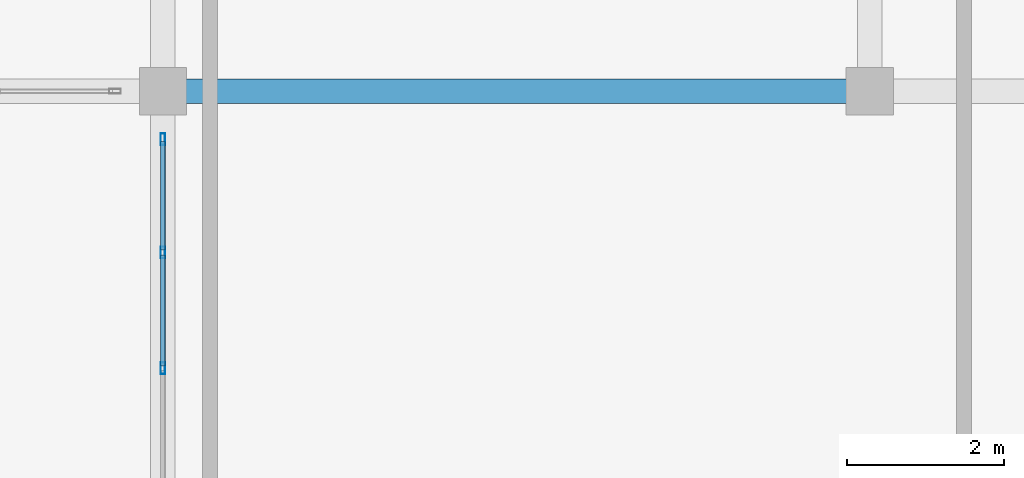
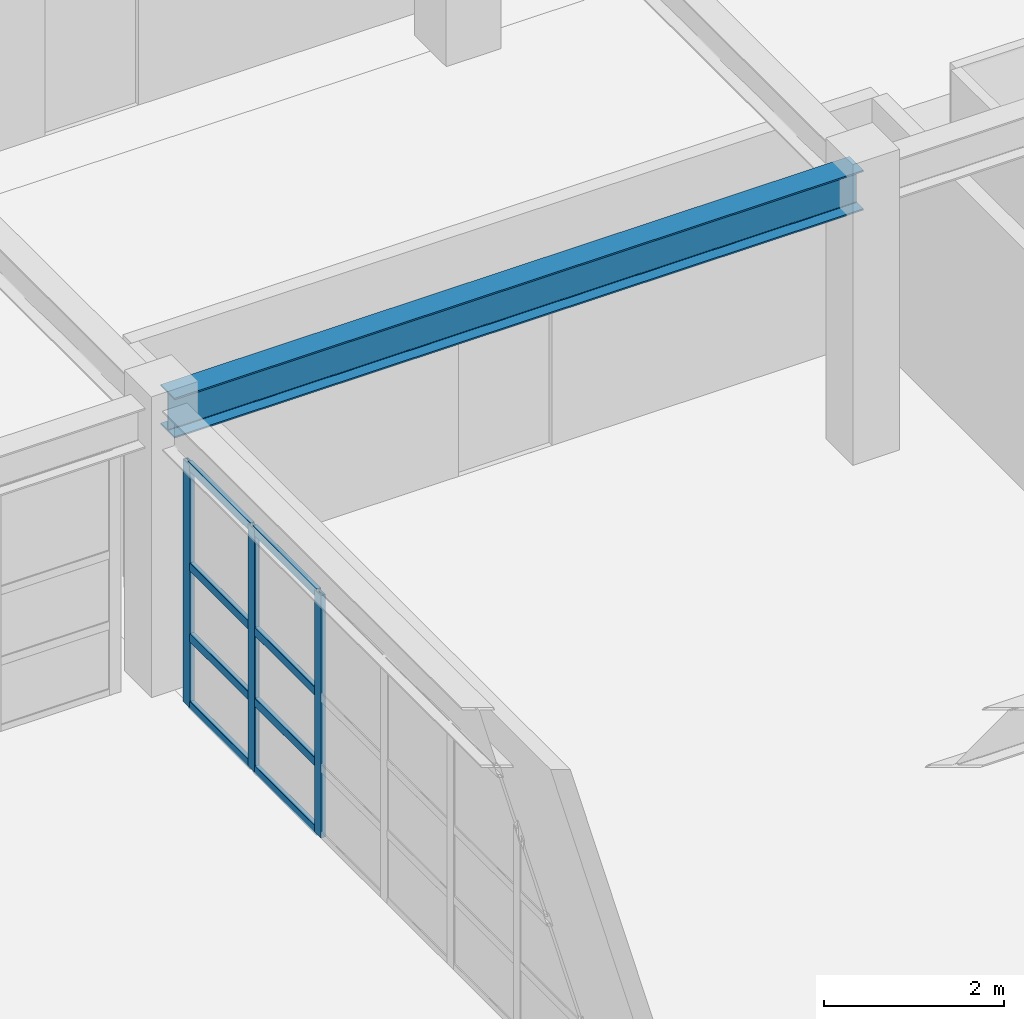
# One storey, part 23 of 110: 11 members, 1 beam, 1 element without a shape of its own.
"""IFC4 building model written with IfcOpenShell, lengths in metres."""

from ifc_helpers import new_model, si_unit, direction, frame, origin, origin_2d, place, context, subcontext, project, spatial, hollow_rectangle, i_section, extrude, material, material_profile, profile_set, type_object, element, aggregate, save


model = new_model("IFC4")

# Units and contexts
model_context = context("Model", 3, precision=1e-05, world=origin(), true_north=direction((0.0, 1.0)))
body_context = subcontext(model_context, "Body", "Model", "MODEL_VIEW")
ifc_project = project(units=[si_unit("LENGTHUNIT", "METRE"), si_unit("AREAUNIT", "SQUARE_METRE"), si_unit("VOLUMEUNIT", "CUBIC_METRE"), si_unit("PLANEANGLEUNIT", "RADIAN"), si_unit("MASSUNIT", "GRAM", prefix="KILO")], contexts=[model_context])

# Site, building, storey
site_placement = place(None, origin())
site = spatial("IfcSite", under=ifc_project, at=site_placement, CompositionType="ELEMENT")
building_placement = place(site_placement, origin())
building = spatial("IfcBuilding", under=site, at=building_placement, Name="Miravela Opera House", CompositionType="ELEMENT")
storey_placement = place(building_placement, frame((0.0, 0.0, 13.60009765625)))
storey = spatial("IfcBuildingStorey", under=building, at=storey_placement, Name="L03", CompositionType="ELEMENT", Elevation=13.60009765625)

# Curtain wall, members
ifc_material_1 = material(Name="Anodised architectural bronze aluminium 6063-T6", Category="aluminium")
curtain_wall_type = type_object("IfcCurtainWallType", Name="ARC-CW-06", PredefinedType="NOTDEFINED", material=ifc_material_1)
curtain_wall_placement = place(storey_placement, origin())
curtain_wall = element("IfcCurtainWall", 1, at=curtain_wall_placement, inside=storey, type_object=curtain_wall_type, Name="Courtyard Arcade Curtain Wall CW-L03-155", PredefinedType="NOTDEFINED")
ifc_material_profile_1 = material_profile(ifc_material_1, hollow_rectangle(XDim=0.06005859375, YDim=0.14990234375, WallThickness=0.00390625, InnerFilletRadius=0.001953125, OuterFilletRadius=0.00390625, at=origin_2d()), Name="CWM-60X150")
ifc_profile_set_1 = profile_set([ifc_material_profile_1])
member_type_1 = type_object("IfcMemberType", Name="ARC-CWM-150", PredefinedType="MULLION", material=ifc_profile_set_1)
member_1_placement = place(storey_placement, frame((63.0, 24.473388671875, 0.0), z_axis=(0.0, 0.0, 1.0), x_axis=(-1.0, 0.0, 0.0)))
member_1 = element("IfcMember", 2, at=member_1_placement, type_object=member_type_1, Name="CW-06 mullion 5", PredefinedType="MULLION", context=body_context, shape_type="SweptSolid", body=[
    extrude(hollow_rectangle(XDim=0.06005859375, YDim=0.14990234375, WallThickness=0.00390625, InnerFilletRadius=0.001953125, OuterFilletRadius=0.00390625, at=origin_2d()), origin(), (0.0, 0.0, 1.0), 3.289794921875),
])
member_2_placement = place(storey_placement, frame((63.0, 25.94677734375, 0.0), z_axis=(0.0, 0.0, 1.0), x_axis=(-1.0, 0.0, 0.0)))
member_2 = element("IfcMember", 3, at=member_2_placement, type_object=member_type_1, Name="CW-06 mullion 6", PredefinedType="MULLION", context=body_context, shape_type="SweptSolid", body=[
    extrude(hollow_rectangle(XDim=0.06005859375, YDim=0.14990234375, WallThickness=0.00390625, InnerFilletRadius=0.001953125, OuterFilletRadius=0.00390625, at=origin_2d()), origin(), (0.0, 0.0, 1.0), 3.289794921875),
])
member_3_placement = place(storey_placement, frame((63.0, 27.389892578125, 0.0), z_axis=(0.0, 0.0, 1.0), x_axis=(-1.0, 0.0, 0.0)))
member_3 = element("IfcMember", 4, at=member_3_placement, type_object=member_type_1, Name="CW-06 mullion 7", PredefinedType="MULLION", context=body_context, shape_type="SweptSolid", body=[
    extrude(hollow_rectangle(XDim=0.06005859375, YDim=0.14990234375, WallThickness=0.00390625, InnerFilletRadius=0.001953125, OuterFilletRadius=0.00390625, at=origin_2d()), origin(), (0.0, 0.0, 1.0), 3.289794921875),
])
ifc_material_profile_2 = material_profile(ifc_material_1, hollow_rectangle(XDim=0.06005859375, YDim=0.114990234375, WallThickness=0.00390625, InnerFilletRadius=0.001953125, OuterFilletRadius=0.00390625, at=origin_2d()), Name="CWT-60X115")
ifc_profile_set_2 = profile_set([ifc_material_profile_2])
member_type_2 = type_object("IfcMemberType", Name="ARC-CWT-115", PredefinedType="USERDEFINED", material=ifc_profile_set_2)
member_4_placement = place(storey_placement, frame((63.0, 24.50341796875, 0.02978515625), z_axis=(0.0, 1.0, 0.0), x_axis=(-1.0, 0.0, 0.0)))
member_4 = element("IfcMember", 5, at=member_4_placement, type_object=member_type_2, Name="CW-06 transom 5.1", ObjectType="TRANSOM", PredefinedType="USERDEFINED", context=body_context, shape_type="SweptSolid", body=[
    extrude(hollow_rectangle(XDim=0.06005859375, YDim=0.114990234375, WallThickness=0.00390625, InnerFilletRadius=0.001953125, OuterFilletRadius=0.00390625, at=origin_2d()), origin(), (0.0, 0.0, 1.0), 1.413330078125),
])
member_5_placement = place(storey_placement, frame((63.0, 24.50341796875, 0.949951171875), z_axis=(0.0, 1.0, 0.0), x_axis=(-1.0, 0.0, 0.0)))
member_5 = element("IfcMember", 6, at=member_5_placement, type_object=member_type_2, Name="CW-06 transom 5.2", ObjectType="TRANSOM", PredefinedType="USERDEFINED", context=body_context, shape_type="SweptSolid", body=[
    extrude(hollow_rectangle(XDim=0.06005859375, YDim=0.114990234375, WallThickness=0.00390625, InnerFilletRadius=0.001953125, OuterFilletRadius=0.00390625, at=origin_2d()), origin(), (0.0, 0.0, 1.0), 1.413330078125),
])
member_6_placement = place(storey_placement, frame((63.0, 24.50341796875, 1.908203125), z_axis=(0.0, 1.0, 0.0), x_axis=(-1.0, 0.0, 0.0)))
member_6 = element("IfcMember", 7, at=member_6_placement, type_object=member_type_2, Name="CW-06 transom 5.3", ObjectType="TRANSOM", PredefinedType="USERDEFINED", context=body_context, shape_type="SweptSolid", body=[
    extrude(hollow_rectangle(XDim=0.06005859375, YDim=0.114990234375, WallThickness=0.00390625, InnerFilletRadius=0.001953125, OuterFilletRadius=0.00390625, at=origin_2d()), origin(), (0.0, 0.0, 1.0), 1.413330078125),
])
member_7_placement = place(storey_placement, frame((63.0, 24.50341796875, 3.260009765625), z_axis=(0.0, 1.0, 0.0), x_axis=(-1.0, 0.0, 0.0)))
member_7 = element("IfcMember", 8, at=member_7_placement, type_object=member_type_2, Name="CW-06 transom 5.4", ObjectType="TRANSOM", PredefinedType="USERDEFINED", context=body_context, shape_type="SweptSolid", body=[
    extrude(hollow_rectangle(XDim=0.06005859375, YDim=0.114990234375, WallThickness=0.00390625, InnerFilletRadius=0.001953125, OuterFilletRadius=0.00390625, at=origin_2d()), origin(), (0.0, 0.0, 1.0), 1.413330078125),
])
member_8_placement = place(storey_placement, frame((63.0, 25.9765625, 0.02978515625), z_axis=(0.0, 1.0, 0.0), x_axis=(-1.0, 0.0, 0.0)))
member_8 = element("IfcMember", 9, at=member_8_placement, type_object=member_type_2, Name="CW-06 transom 6.1", ObjectType="TRANSOM", PredefinedType="USERDEFINED", context=body_context, shape_type="SweptSolid", body=[
    extrude(hollow_rectangle(XDim=0.06005859375, YDim=0.114990234375, WallThickness=0.00390625, InnerFilletRadius=0.001953125, OuterFilletRadius=0.00390625, at=origin_2d()), origin(), (0.0, 0.0, 1.0), 1.383544921875),
])
member_9_placement = place(storey_placement, frame((63.0, 25.9765625, 0.949951171875), z_axis=(0.0, 1.0, 0.0), x_axis=(-1.0, 0.0, 0.0)))
member_9 = element("IfcMember", 10, at=member_9_placement, type_object=member_type_2, Name="CW-06 transom 6.2", ObjectType="TRANSOM", PredefinedType="USERDEFINED", context=body_context, shape_type="SweptSolid", body=[
    extrude(hollow_rectangle(XDim=0.06005859375, YDim=0.114990234375, WallThickness=0.00390625, InnerFilletRadius=0.001953125, OuterFilletRadius=0.00390625, at=origin_2d()), origin(), (0.0, 0.0, 1.0), 1.383544921875),
])
member_10_placement = place(storey_placement, frame((63.0, 25.9765625, 1.908203125), z_axis=(0.0, 1.0, 0.0), x_axis=(-1.0, 0.0, 0.0)))
member_10 = element("IfcMember", 11, at=member_10_placement, type_object=member_type_2, Name="CW-06 transom 6.3", ObjectType="TRANSOM", PredefinedType="USERDEFINED", context=body_context, shape_type="SweptSolid", body=[
    extrude(hollow_rectangle(XDim=0.06005859375, YDim=0.114990234375, WallThickness=0.00390625, InnerFilletRadius=0.001953125, OuterFilletRadius=0.00390625, at=origin_2d()), origin(), (0.0, 0.0, 1.0), 1.383544921875),
])
member_11_placement = place(storey_placement, frame((63.0, 25.9765625, 3.260009765625), z_axis=(0.0, 1.0, 0.0), x_axis=(-1.0, 0.0, 0.0)))
member_11 = element("IfcMember", 12, at=member_11_placement, type_object=member_type_2, Name="CW-06 transom 6.4", ObjectType="TRANSOM", PredefinedType="USERDEFINED", context=body_context, shape_type="SweptSolid", body=[
    extrude(hollow_rectangle(XDim=0.06005859375, YDim=0.114990234375, WallThickness=0.00390625, InnerFilletRadius=0.001953125, OuterFilletRadius=0.00390625, at=origin_2d()), origin(), (0.0, 0.0, 1.0), 1.383544921875),
])
aggregate(curtain_wall, [member_1, member_2, member_3, member_4, member_5, member_6, member_7, member_8, member_9, member_10, member_11])

# Beam
ifc_material_2 = material(Name="Structural steel ASTM A992 Gr. 50", Category="steel")
ifc_material_profile_3 = material_profile(ifc_material_2, i_section(OverallWidth=0.31201171875, OverallDepth=0.54296875, WebThickness=0.0126953125, FlangeThickness=0.020263671875, FilletRadius=0.01611328125, at=origin_2d()), Name="W530X150")
ifc_profile_set_3 = profile_set([ifc_material_profile_3])
beam_type = type_object("IfcBeamType", Name="STR-BM-W530X150", PredefinedType="BEAM", material=ifc_profile_set_3)
beam_placement = place(storey_placement, frame((63.080078125, 28.0, 3.568359375), z_axis=(1.0, 0.0, 0.0), x_axis=(0.0, 1.0, 0.0)))
element("IfcBeam", 13, at=beam_placement, inside=storey, type_object=beam_type, Name="Roof Eave Girder ROOF-V4-WEST-N S6", PredefinedType="BEAM", context=body_context, shape_type="SweptSolid", body=[
    extrude(i_section(OverallWidth=0.31201171875, OverallDepth=0.54296875, WebThickness=0.0126953125, FlangeThickness=0.020263671875, FilletRadius=0.01611328125, at=origin_2d()), origin(), (0.0, 0.0, 1.0), 8.83984375),
])

save(model, "model.ifc")
